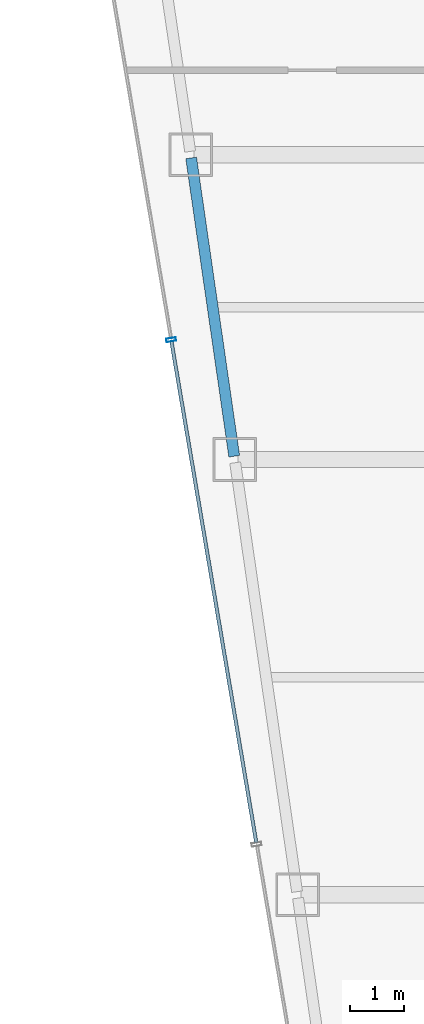
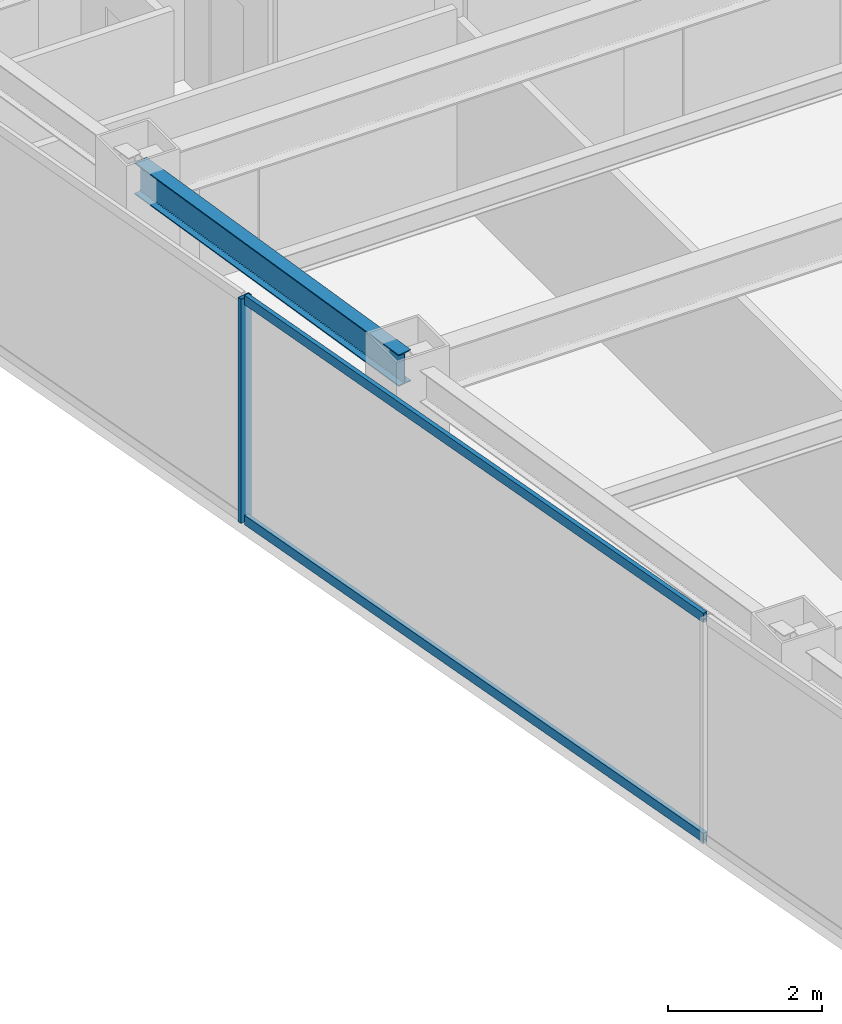
# One storey, part 9 of 36: 3 members, 1 beam, 1 element without a shape of its own.
"""IFC4 building model written with IfcOpenShell, lengths in metres."""

from ifc_helpers import new_model, si_unit, direction, frame, origin, origin_2d, place, context, subcontext, project, spatial, hollow_rectangle, i_section, extrude, material, material_profile, profile_set, type_object, element, aggregate, save


model = new_model("IFC4")

# Units and contexts
model_context = context("Model", 3, precision=1e-05, world=origin(), true_north=direction((0.0, 1.0)))
body_context = subcontext(model_context, "Body", "Model", "MODEL_VIEW")
ifc_project = project(units=[si_unit("LENGTHUNIT", "METRE"), si_unit("AREAUNIT", "SQUARE_METRE"), si_unit("VOLUMEUNIT", "CUBIC_METRE"), si_unit("PLANEANGLEUNIT", "RADIAN"), si_unit("MASSUNIT", "GRAM", prefix="KILO")], contexts=[model_context])

# Site, building, storey
site_placement = place(None, origin())
site = spatial("IfcSite", under=ifc_project, at=site_placement, CompositionType="ELEMENT")
building_placement = place(site_placement, origin())
building = spatial("IfcBuilding", under=site, at=building_placement, Name="Saevonmaru Cultural Tower", CompositionType="ELEMENT")
storey_placement = place(building_placement, frame((0.0, 0.0, 182.800048828125)))
storey = spatial("IfcBuildingStorey", under=building, at=storey_placement, Name="L41", CompositionType="ELEMENT", Elevation=182.800048828125)

# Beam
ifc_material_1 = material(Name="Steel SM355", Category="steel")
ifc_material_profile_1 = material_profile(ifc_material_1, i_section(OverallWidth=0.199951171875, OverallDepth=0.5, WebThickness=0.010009765625, FlangeThickness=0.01611328125, FilletRadius=0.02001953125, at=origin_2d()), Name="H-500x200x10x16")
ifc_profile_set_1 = profile_set([ifc_material_profile_1], Name="Steel SM355")
beam_type = type_object("IfcBeamType", Name="BM-SP-H500", PredefinedType="SPANDREL", material=ifc_profile_set_1)
beam_placement = place(storey_placement, frame((8.308349609375, 32.059326171875, 3.300048828125), z_axis=(-0.142964121327, 0.989727871697, 0.0), x_axis=(-0.989727871697, -0.142964121327, 0.0)))
element("IfcBeam", 1, at=beam_placement, inside=storey, type_object=beam_type, Name="L41 West Splayed Spandrel 3", PredefinedType="SPANDREL", context=body_context, shape_type="SweptSolid", body=[
    extrude(i_section(OverallWidth=0.199951171875, OverallDepth=0.5, WebThickness=0.010009765625, FlangeThickness=0.01611328125, FilletRadius=0.02001953125, at=origin_2d()), origin(), (0.0, 0.0, 1.0), 5.5380859375),
])

# Curtain wall, members
ifc_material_2 = material(Name="Satin Bronze Anodised Aluminium", Category="aluminium")
curtain_wall_type = type_object("IfcCurtainWallType", Name="CW-TYP-B", PredefinedType="NOTDEFINED", material=ifc_material_2)
curtain_wall_placement = place(storey_placement, origin())
curtain_wall = element("IfcCurtainWall", 2, at=curtain_wall_placement, inside=storey, type_object=curtain_wall_type, Name="L41 Unitised Curtain Wall E12", PredefinedType="NOTDEFINED")
ifc_material_profile_2 = material_profile(ifc_material_2, hollow_rectangle(XDim=0.06494140625, YDim=0.179931640625, WallThickness=0.00390625, at=origin_2d()), Name="ALU-MULL-180x65x4")
ifc_profile_set_2 = profile_set([ifc_material_profile_2], Name="Satin Bronze Anodised Aluminium")
member_type_1 = type_object("IfcMemberType", Name="ML-CW-180x65", PredefinedType="MULLION", material=ifc_profile_set_2)
member_1_placement = place(storey_placement, frame((7.14892578125, 34.199951171875, 0.0), z_axis=(0.0, 0.0, 1.0), x_axis=(0.16692169721, -0.985970155228, 0.0)))
member_1 = element("IfcMember", 3, at=member_1_placement, type_object=member_type_1, Name="CW-TW-L41-E12 mullion 3", PredefinedType="MULLION", context=body_context, shape_type="SweptSolid", body=[
    extrude(hollow_rectangle(XDim=0.06494140625, YDim=0.179931640625, WallThickness=0.00390625, at=origin_2d()), origin(), (0.0, 0.0, 1.0), 3.550048828125),
])
ifc_material_profile_3 = material_profile(ifc_material_2, hollow_rectangle(XDim=0.06494140625, YDim=0.14990234375, WallThickness=0.00390625, at=origin_2d()), Name="ALU-TRAN-150x65x4")
ifc_profile_set_3 = profile_set([ifc_material_profile_3], Name="Satin Bronze Anodised Aluminium")
member_type_2 = type_object("IfcMemberType", Name="TR-CW-150x65", PredefinedType="USERDEFINED", material=ifc_profile_set_3)
member_2_placement = place(storey_placement, frame((7.154296875, 34.16796875, 0.032470703125), z_axis=(0.166921263871, -0.985970228591, 0.0), x_axis=(0.985970228591, 0.166921263871, 0.0)))
member_2 = element("IfcMember", 4, at=member_2_placement, type_object=member_type_2, Name="CW-TW-L41-E12 transom 3.1", ObjectType="TRANSOM", PredefinedType="USERDEFINED", context=body_context, shape_type="SweptSolid", body=[
    extrude(hollow_rectangle(XDim=0.06494140625, YDim=0.14990234375, WallThickness=0.00390625, at=origin_2d()), origin(), (0.0, 0.0, 1.0), 9.33740234375),
])
member_3_placement = place(storey_placement, frame((7.154296875, 34.16796875, 3.517333984375), z_axis=(0.166921263871, -0.985970228591, 0.0), x_axis=(0.985970228591, 0.166921263871, 0.0)))
member_3 = element("IfcMember", 5, at=member_3_placement, type_object=member_type_2, Name="CW-TW-L41-E12 transom 3.2", ObjectType="TRANSOM", PredefinedType="USERDEFINED", context=body_context, shape_type="SweptSolid", body=[
    extrude(hollow_rectangle(XDim=0.06494140625, YDim=0.14990234375, WallThickness=0.00390625, at=origin_2d()), origin(), (0.0, 0.0, 1.0), 9.33740234375),
])
aggregate(curtain_wall, [member_1, member_2, member_3])

save(model, "model.ifc")
